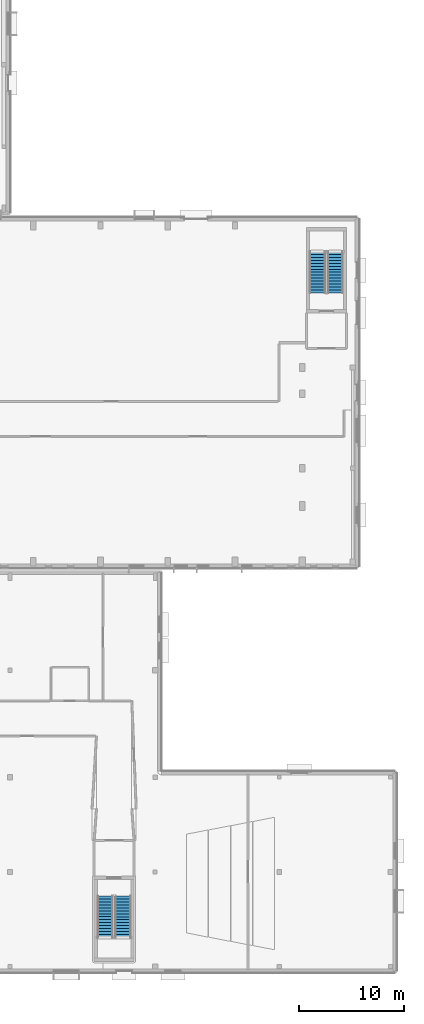
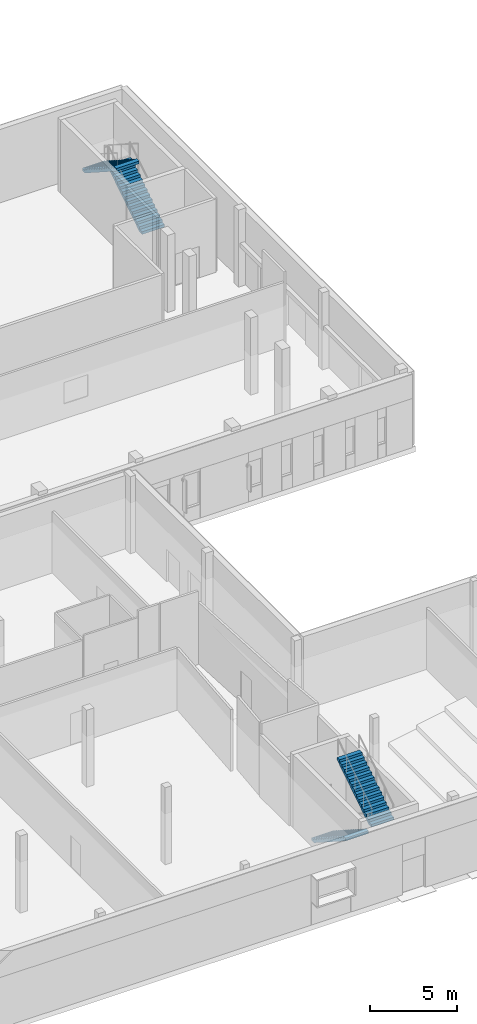
# One storey, part 53 of 84: 4 stair flights, 2 elements without a shape of their own.
"""IFC4 building model written with IfcOpenShell, lengths in metres."""

from ifc_helpers import new_model, si_unit, direction, frame, origin, place, context, subcontext, project, spatial, polyline, outline, extrude, material, type_object, element, aggregate, save


model = new_model("IFC4")

# Units and contexts
model_context = context("Model", 3, precision=1e-05, world=origin(), true_north=direction((0.0, 1.0)))
body_context = subcontext(model_context, "Body", "Model", "MODEL_VIEW")
ifc_project = project(units=[si_unit("LENGTHUNIT", "METRE"), si_unit("AREAUNIT", "SQUARE_METRE"), si_unit("VOLUMEUNIT", "CUBIC_METRE"), si_unit("PLANEANGLEUNIT", "RADIAN"), si_unit("MASSUNIT", "GRAM", prefix="KILO")], contexts=[model_context])

# Site, building, storey
site_placement = place(None, origin())
site = spatial("IfcSite", under=ifc_project, at=site_placement, CompositionType="ELEMENT")
building_placement = place(site_placement, origin())
building = spatial("IfcBuilding", under=site, at=building_placement, Name="Mzevani Central Library", CompositionType="ELEMENT")
storey_placement = place(building_placement, origin())
storey = spatial("IfcBuildingStorey", under=building, at=storey_placement, Name="L00", CompositionType="ELEMENT", Elevation=0.0)

# Stair, stair flights
ifc_material = material(Name="Concrete C35/45", Category="concrete")
stair_type = type_object("IfcStairType", Name="Dogleg Exit Stair 180x280", PredefinedType="HALF_TURN_STAIR", material=ifc_material)
stair_1_placement = place(storey_placement, origin())
stair_1 = element("IfcStair", 1, at=stair_1_placement, inside=storey, type_object=stair_type, Name="L00 Core C1B Reading Hall East Exit Stair ST-01", PredefinedType="HALF_TURN_STAIR")
stair_flight_type = type_object("IfcStairFlightType", Name="Reinforced Concrete Stair Flight 180x280", PredefinedType="STRAIGHT", material=ifc_material)
stair_flight_1_placement = place(storey_placement, frame((162.14990234375, 68.699951171875, 0.0), z_axis=(0.0, 0.0, 1.0), x_axis=(0.0, 1.0, 0.0)))
stair_flight_1 = element("IfcStairFlight", 2, at=stair_flight_1_placement, type_object=stair_flight_type, Name="ST-02 flight 1", NumberOfRisers=15, NumberOfTreads=14, PredefinedType="STRAIGHT", RiserHeight=0.18, TreadLength=0.28, context=body_context, shape_type="SweptSolid", body=[
    extrude(outline(polyline([(0.0, 0.0), (0.0, 0.179931640625), (0.280029296875, 0.179931640625), (0.280029296875, 0.360107421875), (0.56005859375, 0.360107421875), (0.56005859375, 0.5400390625), (0.840087890625, 0.5400390625), (0.840087890625, 0.719970703125), (1.1201171875, 0.719970703125), (1.1201171875, 0.89990234375), (1.39990234375, 0.89990234375), (1.39990234375, 1.080078125), (1.679931640625, 1.080078125), (1.679931640625, 1.260009765625), (1.9599609375, 1.260009765625), (1.9599609375, 1.43994140625), (2.239990234375, 1.43994140625), (2.239990234375, 1.6201171875), (2.52001953125, 1.6201171875), (2.52001953125, 1.800048828125), (2.800048828125, 1.800048828125), (2.800048828125, 1.97998046875), (3.080078125, 1.97998046875), (3.080078125, 2.159912109375), (3.360107421875, 2.159912109375), (3.360107421875, 2.340087890625), (3.639892578125, 2.340087890625), (3.639892578125, 2.52001953125), (3.919921875, 2.52001953125), (3.919921875, 2.699951171875), (3.919921875, 2.329833984375), (0.295654296875, 0.0), (0.0, 0.0)])), frame((0.0, 0.75, 0.0), z_axis=(0.0, -1.0, 0.0), x_axis=(1.0, 0.0, 0.0)), (0.0, 0.0, 1.0), 1.5),
])
stair_flight_2_placement = place(storey_placement, frame((160.449951171875, 72.6201171875, 2.699951171875), z_axis=(0.0, 0.0, 1.0), x_axis=(0.0, -1.0, 0.0)))
stair_flight_2 = element("IfcStairFlight", 3, at=stair_flight_2_placement, type_object=stair_flight_type, Name="ST-02 flight 2", NumberOfRisers=15, NumberOfTreads=14, PredefinedType="STRAIGHT", RiserHeight=0.18, TreadLength=0.28, context=body_context, shape_type="SweptSolid", body=[
    extrude(outline(polyline([(0.0, 0.0), (0.0, 0.179931640625), (0.280029296875, 0.179931640625), (0.280029296875, 0.360107421875), (0.56005859375, 0.360107421875), (0.56005859375, 0.5400390625), (0.840087890625, 0.5400390625), (0.840087890625, 0.719970703125), (1.1201171875, 0.719970703125), (1.1201171875, 0.89990234375), (1.39990234375, 0.89990234375), (1.39990234375, 1.080078125), (1.679931640625, 1.080078125), (1.679931640625, 1.260009765625), (1.9599609375, 1.260009765625), (1.9599609375, 1.43994140625), (2.239990234375, 1.43994140625), (2.239990234375, 1.6201171875), (2.52001953125, 1.6201171875), (2.52001953125, 1.800048828125), (2.800048828125, 1.800048828125), (2.800048828125, 1.97998046875), (3.080078125, 1.97998046875), (3.080078125, 2.159912109375), (3.360107421875, 2.159912109375), (3.360107421875, 2.340087890625), (3.639892578125, 2.340087890625), (3.639892578125, 2.52001953125), (3.919921875, 2.52001953125), (3.919921875, 2.699951171875), (3.919921875, 2.329833984375), (0.295654296875, 0.0), (0.0, 0.0)])), frame((0.0, 0.75, 0.0), z_axis=(0.0, -1.0, 0.0), x_axis=(1.0, 0.0, 0.0)), (0.0, 0.0, 1.0), 1.5),
])
aggregate(stair_1, [stair_flight_1, stair_flight_2])

stair_2_placement = place(storey_placement, origin())
stair_2 = element("IfcStair", 4, at=stair_2_placement, inside=storey, type_object=stair_type, Name="L00 Core C6B Children's Pavilion East Stair Exit Stair ST-01", PredefinedType="HALF_TURN_STAIR")
stair_flight_3_placement = place(storey_placement, frame((140.25, 11.300048828125, 0.0), z_axis=(0.0, 0.0, 1.0), x_axis=(0.0, -1.0, 0.0)))
stair_flight_3 = element("IfcStairFlight", 5, at=stair_flight_3_placement, type_object=stair_flight_type, Name="ST-12 flight 1", NumberOfRisers=15, NumberOfTreads=14, PredefinedType="STRAIGHT", RiserHeight=0.18, TreadLength=0.28, context=body_context, shape_type="SweptSolid", body=[
    extrude(outline(polyline([(0.0, 0.0), (0.0, 0.179931640625), (0.280029296875, 0.179931640625), (0.280029296875, 0.360107421875), (0.56005859375, 0.360107421875), (0.56005859375, 0.5400390625), (0.840087890625, 0.5400390625), (0.840087890625, 0.719970703125), (1.1201171875, 0.719970703125), (1.1201171875, 0.89990234375), (1.39990234375, 0.89990234375), (1.39990234375, 1.080078125), (1.679931640625, 1.080078125), (1.679931640625, 1.260009765625), (1.9599609375, 1.260009765625), (1.9599609375, 1.43994140625), (2.239990234375, 1.43994140625), (2.239990234375, 1.6201171875), (2.52001953125, 1.6201171875), (2.52001953125, 1.800048828125), (2.800048828125, 1.800048828125), (2.800048828125, 1.97998046875), (3.080078125, 1.97998046875), (3.080078125, 2.159912109375), (3.360107421875, 2.159912109375), (3.360107421875, 2.340087890625), (3.639892578125, 2.340087890625), (3.639892578125, 2.52001953125), (3.919921875, 2.52001953125), (3.919921875, 2.699951171875), (3.919921875, 2.329833984375), (0.295654296875, 0.0), (0.0, 0.0)])), frame((0.0, 0.75, 0.0), z_axis=(0.0, -1.0, 0.0), x_axis=(1.0, 0.0, 0.0)), (0.0, 0.0, 1.0), 1.5),
])
stair_flight_4_placement = place(storey_placement, frame((141.949951171875, 7.3798828125, 2.699951171875), z_axis=(0.0, 0.0, 1.0), x_axis=(0.0, 1.0, 0.0)))
stair_flight_4 = element("IfcStairFlight", 6, at=stair_flight_4_placement, type_object=stair_flight_type, Name="ST-12 flight 2", NumberOfRisers=15, NumberOfTreads=14, PredefinedType="STRAIGHT", RiserHeight=0.18, TreadLength=0.28, context=body_context, shape_type="SweptSolid", body=[
    extrude(outline(polyline([(0.0, 0.0), (0.0, 0.179931640625), (0.280029296875, 0.179931640625), (0.280029296875, 0.360107421875), (0.56005859375, 0.360107421875), (0.56005859375, 0.5400390625), (0.840087890625, 0.5400390625), (0.840087890625, 0.719970703125), (1.1201171875, 0.719970703125), (1.1201171875, 0.89990234375), (1.39990234375, 0.89990234375), (1.39990234375, 1.080078125), (1.679931640625, 1.080078125), (1.679931640625, 1.260009765625), (1.9599609375, 1.260009765625), (1.9599609375, 1.43994140625), (2.239990234375, 1.43994140625), (2.239990234375, 1.6201171875), (2.52001953125, 1.6201171875), (2.52001953125, 1.800048828125), (2.800048828125, 1.800048828125), (2.800048828125, 1.97998046875), (3.080078125, 1.97998046875), (3.080078125, 2.159912109375), (3.360107421875, 2.159912109375), (3.360107421875, 2.340087890625), (3.639892578125, 2.340087890625), (3.639892578125, 2.52001953125), (3.919921875, 2.52001953125), (3.919921875, 2.699951171875), (3.919921875, 2.329833984375), (0.295654296875, 0.0), (0.0, 0.0)])), frame((0.0, 0.75, 0.0), z_axis=(0.0, -1.0, 0.0), x_axis=(1.0, 0.0, 0.0)), (0.0, 0.0, 1.0), 1.5),
])
aggregate(stair_2, [stair_flight_3, stair_flight_4])

save(model, "model.ifc")
